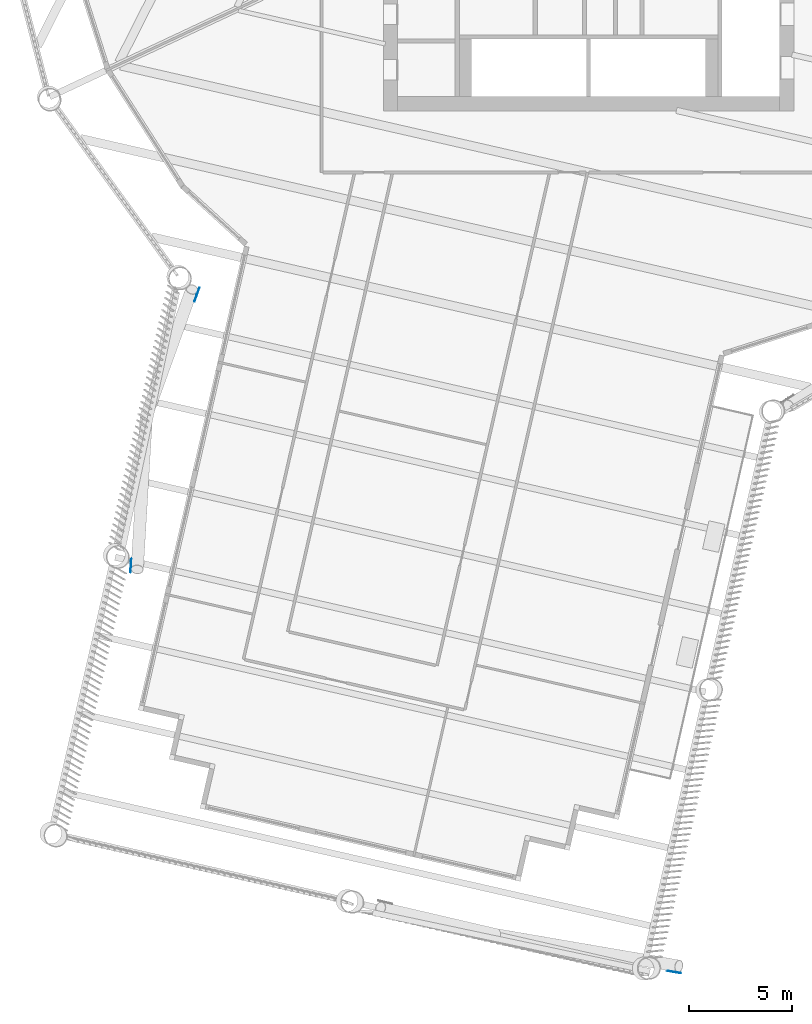
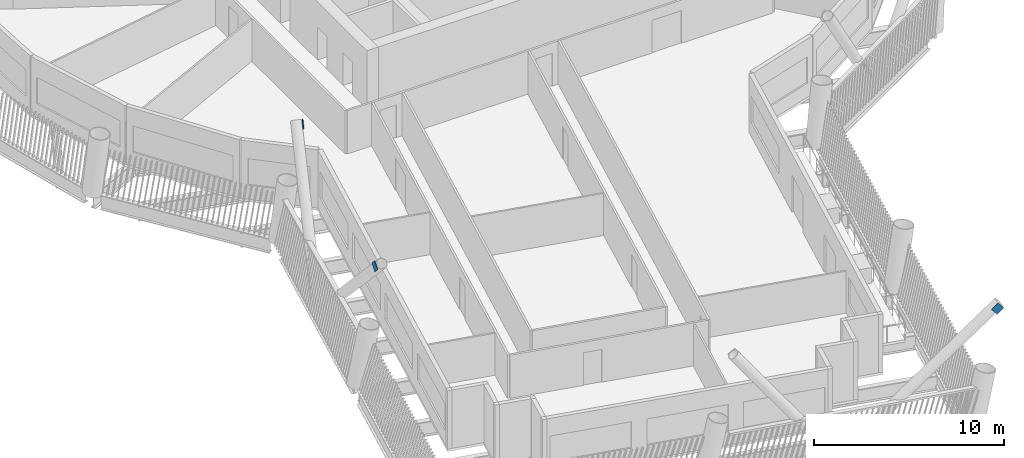
# One storey, part 8 of 21: 3 discrete accessories.
"""IFC4 building model written with IfcOpenShell, lengths in metres."""

from ifc_helpers import new_model, si_unit, direction, frame, origin, origin_2d, place, context, subcontext, project, spatial, rectangle, extrude, material, material_profile, profile_set, type_object, element, save


model = new_model("IFC4")

# Units and contexts
model_context = context("Model", 3, precision=1e-05, world=origin(), true_north=direction((0.0, 1.0)))
body_context = subcontext(model_context, "Body", "Model", "MODEL_VIEW")
ifc_project = project(units=[si_unit("LENGTHUNIT", "METRE"), si_unit("AREAUNIT", "SQUARE_METRE"), si_unit("VOLUMEUNIT", "CUBIC_METRE"), si_unit("PLANEANGLEUNIT", "RADIAN"), si_unit("MASSUNIT", "GRAM", prefix="KILO")], contexts=[model_context])

# Site, building, storey
site_placement = place(None, origin())
site = spatial("IfcSite", under=ifc_project, at=site_placement, CompositionType="ELEMENT")
building_placement = place(site_placement, origin())
building = spatial("IfcBuilding", under=site, at=building_placement, Name="Tarsis Ring Headquarters", CompositionType="ELEMENT")
storey_placement = place(building_placement, frame((0.0, 0.0, 171.0)))
storey = spatial("IfcBuildingStorey", under=building, at=storey_placement, Name="L39", CompositionType="ELEMENT", Elevation=171.0)

# Discrete accessories
ifc_material = material(Name="Structural steel S355", Category="steel")
ifc_material_profile = material_profile(ifc_material, rectangle(XDim=0.02490234375, YDim=0.5, at=origin_2d()), Name="PL 25x500")
ifc_profile_set = profile_set([ifc_material_profile], Name="Structural steel S355")
discrete_accessory_type = type_object("IfcDiscreteAccessoryType", Name="Gusset plate Exo brace 25", PredefinedType="BRACKET", material=ifc_profile_set)
discrete_accessory_placement = place(storey_placement, frame((-22.303955078125, -35.317138671875, 7.800048828125), z_axis=(0.041492338532, 0.691701690583, -0.720990400135), x_axis=(-0.998205687675, 0.05987825226, 0.0)))
element("IfcDiscreteAccessory", 1, at=discrete_accessory_placement, inside=storey, type_object=discrete_accessory_type, Name="Gusset plate GP5", PredefinedType="BRACKET", context=body_context, shape_type="SweptSolid", body=[
    extrude(rectangle(XDim=0.02490234375, YDim=0.5, at=origin_2d()), origin(), (0.0, 0.0, 1.0), 0.500244140625),
])
for number, where, z_axis, x_axis, name in (
    (2, (-19.021728515625, -21.799560546875, 7.800048828125), (-0.217734662697, -0.604872751304, -0.765976873927), (0.940897092226, -0.338692577185, 0.0), "Gusset plate GP5"),
    (3, (4.34228515625, -54.97119140625, 7.800048828125), (-0.747011452303, 0.128407850951, -0.652292353122), (-0.169410767586, -0.985545530062, 0.0), "Gusset plate GP5"),
):
    element("IfcDiscreteAccessory", number, at=place(storey_placement, frame(where, z_axis=z_axis, x_axis=x_axis)), inside=storey, type_object=discrete_accessory_type, Name=name, PredefinedType="BRACKET", context=body_context, shape_type="SweptSolid", body=[
        extrude(rectangle(XDim=0.02490234375, YDim=0.5, at=origin_2d()), origin(), (0.0, 0.0, 1.0), 0.5),
    ])

save(model, "model.ifc")
